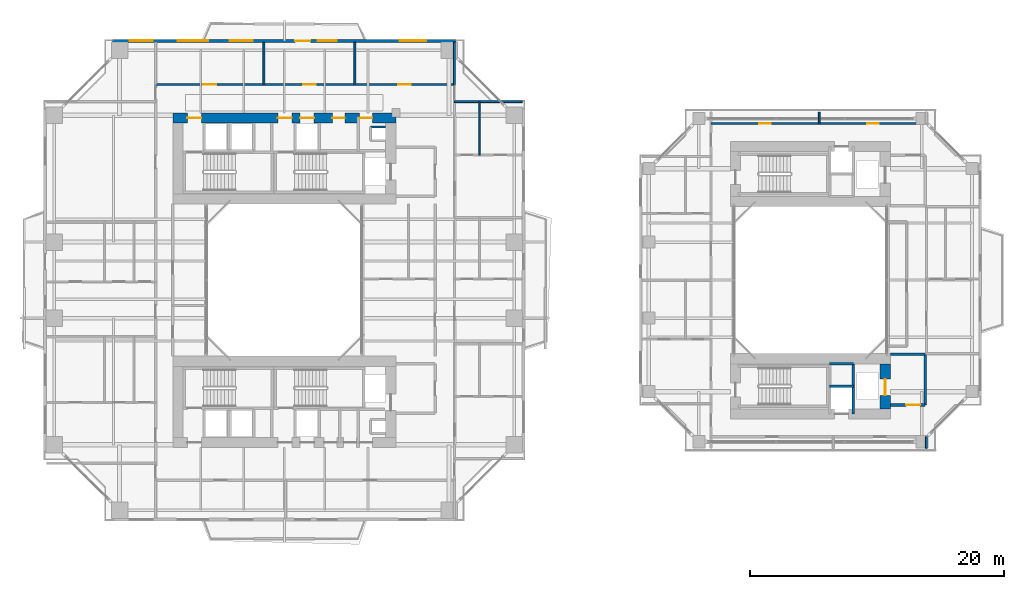
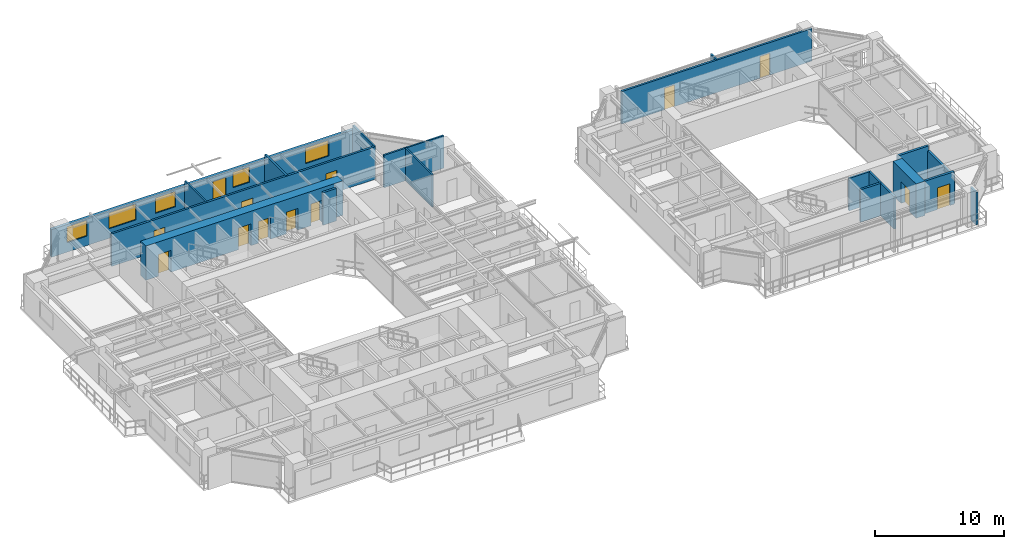
# One storey, part 17 of 24: 19 walls, 13 doors, 5 windows, 18 openings.
"""IFC4 building model written with IfcOpenShell, lengths in metres."""

from ifc_helpers import new_model, si_unit, direction, frame, frame_2d, origin, place, context, subcontext, project, spatial, rectangle, extrude, source, transform, mapped, material, layer, layer_set, type_object, element, fill, save


model = new_model("IFC4")

# Units and contexts
model_context = context("Model", 3, precision=1e-05, world=origin(), true_north=direction((0.0, 1.0)))
body_context = subcontext(model_context, "Body", "Model", "MODEL_VIEW")
ifc_project = project(units=[si_unit("LENGTHUNIT", "METRE"), si_unit("AREAUNIT", "SQUARE_METRE"), si_unit("VOLUMEUNIT", "CUBIC_METRE"), si_unit("PLANEANGLEUNIT", "RADIAN"), si_unit("MASSUNIT", "GRAM", prefix="KILO"), si_unit("THERMODYNAMICTEMPERATUREUNIT", "KELVIN"), si_unit("POWERUNIT", "WATT")], contexts=[model_context])

# Site, building, storey
site_placement = place(None, origin())
site = spatial("IfcSite", under=ifc_project, at=site_placement, CompositionType="ELEMENT")
building_placement = place(site_placement, origin())
building = spatial("IfcBuilding", under=site, at=building_placement, Name="Qiaomeng Ring Towers", CompositionType="ELEMENT")
storey_placement = place(building_placement, frame((0.0, 0.0, 36.0)))
storey = spatial("IfcBuildingStorey", under=building, at=storey_placement, Name="L09", CompositionType="ELEMENT", Elevation=36.0)

# Wall, openings, windows, door
ifc_material_1 = material(Name="Precast concrete C40", Category="concrete")
ifc_layer_1 = layer(ifc_material_1, 0.25, Name="Precast concrete C40")
ifc_layer_set_1 = layer_set([ifc_layer_1], Name="Precast concrete C40")
wall_type_1 = type_object("IfcWallType", Name="ARC-WL-EW1", PredefinedType="STANDARD", material=ifc_layer_set_1)
wall_1_placement = place(storey_placement, frame((5.449951171875, 41.875, 0.0), z_axis=(0.0, 0.0, 1.0), x_axis=(1.0, 0.0, 0.0)))
wall_1 = element("IfcWall", 1, at=wall_1_placement, inside=storey, type_object=wall_type_1, Name="L09 Tower 1 N Exterior Wall", PredefinedType="STANDARD", context=body_context, shape_type="SweptSolid", body=[
    extrude(rectangle(XDim=27.10009765625, YDim=0.25, at=frame_2d((13.550048828125, 0.0))), origin(), (0.0, 0.0, 1.0), 2.610107421875),
])
opening_1_placement = place(wall_1_placement, frame((14.39990234375, 0.0, 0.0)))
opening_1 = element("IfcOpeningElement", 2, at=opening_1_placement, cuts=wall_1, Name="Opening BD1", PredefinedType="OPENING", context=body_context, shape_type="SweptSolid", body=[
    extrude(rectangle(XDim=1.199951171875, YDim=2.10009765625, at=frame_2d((0.60009765625, 1.050048828125))), frame((0.0, 0.135009765625, 0.0), z_axis=(0.0, -1.0, 0.0), x_axis=(1.0, 0.0, 0.0)), (0.0, 0.0, 1.0), 0.27001953125),
])
opening_2_placement = place(wall_1_placement, frame((1.364990234375, 0.0, 0.89990234375)))
opening_2 = element("IfcOpeningElement", 3, at=opening_2_placement, cuts=wall_1, Name="Opening WN1", PredefinedType="OPENING", context=body_context, shape_type="SweptSolid", body=[
    extrude(rectangle(XDim=1.800048828125, YDim=1.5, at=frame_2d((0.89990234375, 0.75))), frame((0.0, 0.135009765625, 0.0), z_axis=(0.0, -1.0, 0.0), x_axis=(1.0, 0.0, 0.0)), (0.0, 0.0, 1.0), 0.27001953125),
])
opening_3_placement = place(wall_1_placement, frame((9.262939453125, 0.0, 0.89990234375)))
opening_3 = element("IfcOpeningElement", 4, at=opening_3_placement, cuts=wall_1, Name="Opening WN1", PredefinedType="OPENING", context=body_context, shape_type="SweptSolid", body=[
    extrude(rectangle(XDim=1.800048828125, YDim=1.449951171875, at=frame_2d((0.89990234375, 0.72509765625))), frame((0.0, 0.135009765625, 0.0), z_axis=(0.0, -1.0, 0.0), x_axis=(1.0, 0.0, 0.0)), (0.0, 0.0, 1.0), 0.27001953125),
])
opening_4_placement = place(wall_1_placement, frame((16.18798828125, 0.0, 0.89990234375)))
opening_4 = element("IfcOpeningElement", 5, at=opening_4_placement, cuts=wall_1, Name="Opening WN2", PredefinedType="OPENING", context=body_context, shape_type="SweptSolid", body=[
    extrude(rectangle(XDim=1.5, YDim=1.449951171875, at=frame_2d((0.75, 0.72509765625))), frame((0.0, 0.135009765625, 0.0), z_axis=(0.0, -1.0, 0.0), x_axis=(1.0, 0.0, 0.0)), (0.0, 0.0, 1.0), 0.27001953125),
])
opening_5_placement = place(wall_1_placement, frame((22.6630859375, 0.0, 0.89990234375)))
opening_5 = element("IfcOpeningElement", 6, at=opening_5_placement, cuts=wall_1, Name="Opening WN4", PredefinedType="OPENING", context=body_context, shape_type="SweptSolid", body=[
    extrude(rectangle(XDim=2.10009765625, YDim=1.47998046875, at=frame_2d((1.050048828125, 0.739990234375))), frame((0.0, 0.135009765625, 0.0), z_axis=(0.0, -1.0, 0.0), x_axis=(1.0, 0.0, 0.0)), (0.0, 0.0, 1.0), 0.27001953125),
])
opening_6_placement = place(wall_1_placement, frame((5.14892578125, 0.0, 0.89990234375)))
opening_6 = element("IfcOpeningElement", 7, at=opening_6_placement, cuts=wall_1, Name="Opening WN6", PredefinedType="OPENING", context=body_context, shape_type="SweptSolid", body=[
    extrude(rectangle(XDim=2.39990234375, YDim=1.5, at=frame_2d((1.199951171875, 0.75))), frame((0.0, 0.135009765625, 0.0), z_axis=(0.0, -1.0, 0.0), x_axis=(1.0, 0.0, 0.0)), (0.0, 0.0, 1.0), 0.27001953125),
])
ifc_material_2 = material(Name="Low-E dark-grey laminated double glazing", Category="glass")
window_type_1 = type_object("IfcWindowType", Name="ARC-WN-2", PartitioningType="DOUBLE_PANEL_VERTICAL", PredefinedType="WINDOW", material=ifc_material_2)
shared_shape_1 = source(origin(), body_context, "Body", "SweptSolid", [
    extrude(rectangle(XDim=1.5, YDim=1.449951171875, at=frame_2d((0.75, 0.72509765625))), frame((0.0, 0.030029296875, 0.0), z_axis=(0.0, -1.0, 0.0), x_axis=(1.0, 0.0, 0.0)), (0.0, 0.0, 1.0), 0.06005859375),
])
window_1_placement = place(opening_4_placement, origin())
window_1 = element("IfcWindow", 8, at=window_1_placement, inside=storey, type_object=window_type_1, Name="L09 Exterior Window WN2", OverallHeight=1.449951171875, OverallWidth=1.5, PartitioningType="DOUBLE_PANEL_VERTICAL", PredefinedType="WINDOW", context=body_context, shape_type="MappedRepresentation", body=[
    mapped(shared_shape_1, transform((0.0, 0.0, 0.0), x_axis=(1.0, 0.0, 0.0), y_axis=(0.0, 1.0, 0.0), z_axis=(0.0, 0.0, 1.0), scale=1.0)),
])
fill(opening_4, window_1)
window_type_2 = type_object("IfcWindowType", Name="ARC-WN-4", PartitioningType="TRIPLE_PANEL_VERTICAL", PredefinedType="WINDOW", material=ifc_material_2)
shared_shape_2 = source(origin(), body_context, "Body", "SweptSolid", [
    extrude(rectangle(XDim=2.10009765625, YDim=1.47998046875, at=frame_2d((1.050048828125, 0.739990234375))), frame((0.0, 0.030029296875, 0.0), z_axis=(0.0, -1.0, 0.0), x_axis=(1.0, 0.0, 0.0)), (0.0, 0.0, 1.0), 0.06005859375),
])
window_2_placement = place(opening_5_placement, origin())
window_2 = element("IfcWindow", 9, at=window_2_placement, inside=storey, type_object=window_type_2, Name="L09 Exterior Window WN4", OverallHeight=1.47998046875, OverallWidth=2.10009765625, PartitioningType="TRIPLE_PANEL_VERTICAL", PredefinedType="WINDOW", context=body_context, shape_type="MappedRepresentation", body=[
    mapped(shared_shape_2, transform((0.0, 0.0, 0.0), x_axis=(1.0, 0.0, 0.0), y_axis=(0.0, 1.0, 0.0), z_axis=(0.0, 0.0, 1.0), scale=1.0)),
])
fill(opening_5, window_2)
window_type_3 = type_object("IfcWindowType", Name="ARC-WN-1", PartitioningType="DOUBLE_PANEL_VERTICAL", PredefinedType="WINDOW", material=ifc_material_2)
shared_shape_3 = source(origin(), body_context, "Body", "SweptSolid", [
    extrude(rectangle(XDim=1.800048828125, YDim=1.449951171875, at=frame_2d((0.89990234375, 0.72509765625))), frame((0.0, 0.030029296875, 0.0), z_axis=(0.0, -1.0, 0.0), x_axis=(1.0, 0.0, 0.0)), (0.0, 0.0, 1.0), 0.06005859375),
])
window_3_placement = place(opening_3_placement, origin())
window_3 = element("IfcWindow", 10, at=window_3_placement, inside=storey, type_object=window_type_3, Name="L09 Exterior Window WN1", OverallHeight=1.449951171875, OverallWidth=1.800048828125, PartitioningType="DOUBLE_PANEL_VERTICAL", PredefinedType="WINDOW", context=body_context, shape_type="MappedRepresentation", body=[
    mapped(shared_shape_3, transform((0.0, 0.0, 0.0), x_axis=(1.0, 0.0, 0.0), y_axis=(0.0, 1.0, 0.0), z_axis=(0.0, 0.0, 1.0), scale=1.0)),
])
fill(opening_3, window_3)
door_type_1 = type_object("IfcDoorType", Name="ARC-DR-BD1", OperationType="NOTDEFINED", PredefinedType="DOOR", material=ifc_material_2)
shared_shape_4 = source(origin(), body_context, "Body", "SweptSolid", [
    extrude(rectangle(XDim=1.199951171875, YDim=2.10009765625, at=frame_2d((0.60009765625, 1.050048828125))), frame((0.0, 0.02490234375, 0.0), z_axis=(0.0, -1.0, 0.0), x_axis=(1.0, 0.0, 0.0)), (0.0, 0.0, 1.0), 0.050048828125),
])
door_1_placement = place(opening_1_placement, origin())
door_1 = element("IfcDoor", 11, at=door_1_placement, inside=storey, type_object=door_type_1, Name="L09 N Balcony Glazed Door", OperationType="SINGLE_SWING_LEFT", OverallHeight=2.10009765625, OverallWidth=1.199951171875, PredefinedType="DOOR", context=body_context, shape_type="MappedRepresentation", body=[
    mapped(shared_shape_4, transform((0.0, 0.0, 0.0), x_axis=(1.0, 0.0, 0.0), y_axis=(0.0, 1.0, 0.0), z_axis=(0.0, 0.0, 1.0), scale=1.0)),
])
fill(opening_1, door_1)
window_type_4 = type_object("IfcWindowType", Name="ARC-WN-6", PartitioningType="TRIPLE_PANEL_VERTICAL", PredefinedType="WINDOW", material=ifc_material_2)
shared_shape_5 = source(origin(), body_context, "Body", "SweptSolid", [
    extrude(rectangle(XDim=2.39990234375, YDim=1.5, at=frame_2d((1.199951171875, 0.75))), frame((0.0, 0.030029296875, 0.0), z_axis=(0.0, -1.0, 0.0), x_axis=(1.0, 0.0, 0.0)), (0.0, 0.0, 1.0), 0.06005859375),
])
window_4_placement = place(opening_6_placement, origin())
window_4 = element("IfcWindow", 12, at=window_4_placement, inside=storey, type_object=window_type_4, Name="L09 Exterior Window WN6", OverallHeight=1.5, OverallWidth=2.39990234375, PartitioningType="TRIPLE_PANEL_VERTICAL", PredefinedType="WINDOW", context=body_context, shape_type="MappedRepresentation", body=[
    mapped(shared_shape_5, transform((0.0, 0.0, 0.0), x_axis=(1.0, 0.0, 0.0), y_axis=(0.0, 1.0, 0.0), z_axis=(0.0, 0.0, 1.0), scale=1.0)),
])
fill(opening_6, window_4)
shared_shape_6 = source(origin(), body_context, "Body", "SweptSolid", [
    extrude(rectangle(XDim=1.800048828125, YDim=1.5, at=frame_2d((0.89990234375, 0.75))), frame((0.0, 0.030029296875, 0.0), z_axis=(0.0, -1.0, 0.0), x_axis=(1.0, 0.0, 0.0)), (0.0, 0.0, 1.0), 0.06005859375),
])
window_5_placement = place(opening_2_placement, origin())
window_5 = element("IfcWindow", 13, at=window_5_placement, inside=storey, type_object=window_type_3, Name="L09 Exterior Window WN6", OverallHeight=1.5, OverallWidth=1.800048828125, PartitioningType="TRIPLE_PANEL_VERTICAL", PredefinedType="WINDOW", context=body_context, shape_type="MappedRepresentation", body=[
    mapped(shared_shape_6, transform((0.0, 0.0, 0.0), x_axis=(1.0, 0.0, 0.0), y_axis=(0.0, 1.0, 0.0), z_axis=(0.0, 0.0, 1.0), scale=1.0)),
])
fill(opening_2, window_5)

# Walls
ifc_material_3 = material(Name="Autoclaved aerated concrete block", Category="concrete")
ifc_layer_2 = layer(ifc_material_3, 0.199951171875, Name="Autoclaved aerated concrete block")
ifc_layer_set_2 = layer_set([ifc_layer_2], Name="Autoclaved aerated concrete block")
wall_type_2 = type_object("IfcWallType", Name="ARC-WL-PW1", PredefinedType="PARTITIONING", material=ifc_layer_set_2)
wall_2_placement = place(storey_placement, frame((66.800048828125, 17.14990234375, 0.0), z_axis=(0.0, 0.0, 1.0), x_axis=(1.0, 0.0, 0.0)))
element("IfcWall", 14, at=wall_2_placement, inside=storey, type_object=wall_type_2, Name="L09 Interior Wall PW1", PredefinedType="PARTITIONING", context=body_context, shape_type="SweptSolid", body=[
    extrude(rectangle(XDim=2.75, YDim=0.199951171875, at=frame_2d((1.375, 0.0))), origin(), (0.0, 0.0, 1.0), 3.070068359375),
])
wall_3_placement = place(storey_placement, frame((69.550048828125, 13.14990234375, 0.0), z_axis=(0.0, 0.0, 1.0), x_axis=(0.0, 1.0, 0.0)))
element("IfcWall", 15, at=wall_3_placement, inside=storey, type_object=wall_type_2, Name="L09 Interior Wall PW1", PredefinedType="PARTITIONING", context=body_context, shape_type="SweptSolid", body=[
    extrude(rectangle(XDim=4.0, YDim=0.199951171875, at=frame_2d((2.0, 0.0))), origin(), (0.0, 0.0, 1.0), 2.614990234375),
])

# Wall, opening, door
wall_4_placement = place(storey_placement, frame((66.800048828125, 13.14990234375, 0.0), z_axis=(0.0, 0.0, 1.0), x_axis=(1.0, 0.0, 0.0)))
wall_4 = element("IfcWall", 16, at=wall_4_placement, inside=storey, type_object=wall_type_2, Name="L09 Interior Wall PW1", PredefinedType="PARTITIONING", context=body_context, shape_type="SweptSolid", body=[
    extrude(rectangle(XDim=2.75, YDim=0.199951171875, at=frame_2d((1.375, 0.0))), origin(), (0.0, 0.0, 1.0), 3.070068359375),
])
opening_7_placement = place(wall_4_placement, frame((1.25, 0.0, 0.0)))
opening_7 = element("IfcOpeningElement", 17, at=opening_7_placement, cuts=wall_4, Name="Opening FD3", PredefinedType="OPENING", context=body_context, shape_type="SweptSolid", body=[
    extrude(rectangle(XDim=1.10009765625, YDim=2.050048828125, at=frame_2d((0.550048828125, 1.02490234375))), frame((0.0, 0.10986328125, 0.0), z_axis=(0.0, -1.0, 0.0), x_axis=(1.0, 0.0, 0.0)), (0.0, 0.0, 1.0), 0.219970703125),
])
ifc_material_4 = material(Name="Galvanised steel", Category="steel")
door_type_2 = type_object("IfcDoorType", Name="ARC-DR-FD3", OperationType="NOTDEFINED", PredefinedType="DOOR", material=ifc_material_4)
shared_shape_7 = source(origin(), body_context, "Body", "SweptSolid", [
    extrude(rectangle(XDim=1.10009765625, YDim=2.050048828125, at=frame_2d((0.550048828125, 1.02490234375))), frame((0.0, 0.02490234375, 0.0), z_axis=(0.0, -1.0, 0.0), x_axis=(1.0, 0.0, 0.0)), (0.0, 0.0, 1.0), 0.050048828125),
])
door_2_placement = place(opening_7_placement, origin())
door_2 = element("IfcDoor", 18, at=door_2_placement, inside=storey, type_object=door_type_2, Name="L09 Door FD3", OperationType="SINGLE_SWING_LEFT", OverallHeight=2.050048828125, OverallWidth=1.10009765625, PredefinedType="DOOR", context=body_context, shape_type="MappedRepresentation", body=[
    mapped(shared_shape_7, transform((0.0, 0.0, 0.0), x_axis=(1.0, 0.0, 0.0), y_axis=(0.0, 1.0, 0.0), z_axis=(0.0, 0.0, 1.0), scale=1.0)),
])
fill(opening_7, door_2)

# Wall, openings, doors
ifc_layer_3 = layer(ifc_material_3, 0.179931640625, Name="Autoclaved aerated concrete block")
ifc_layer_set_3 = layer_set([ifc_layer_3], Name="Autoclaved aerated concrete block")
wall_type_3 = type_object("IfcWallType", Name="ARC-WL-PW2", PredefinedType="PARTITIONING", material=ifc_layer_set_3)
wall_5_placement = place(storey_placement, frame((8.85009765625, 38.43994140625, 0.0), z_axis=(0.0, 0.0, 1.0), x_axis=(1.0, 0.0, 0.0)))
wall_5 = element("IfcWall", 19, at=wall_5_placement, inside=storey, type_object=wall_type_3, Name="L09 Interior Wall PW2", PredefinedType="PARTITIONING", context=body_context, shape_type="SweptSolid", body=[
    extrude(rectangle(XDim=23.56982421875, YDim=0.179931640625, at=frame_2d((11.784912109375, 0.0))), origin(), (0.0, 0.0, 1.0), 3.070068359375),
])
opening_8_placement = place(wall_5_placement, frame((3.77001953125, 0.0, 0.0)))
opening_8 = element("IfcOpeningElement", 20, at=opening_8_placement, cuts=wall_5, Name="Opening FD4", PredefinedType="OPENING", context=body_context, shape_type="SweptSolid", body=[
    extrude(rectangle(XDim=1.0, YDim=2.050048828125, at=frame_2d((0.5, 1.02490234375))), frame((0.0, 0.099853515625, 0.0), z_axis=(0.0, -1.0, 0.0), x_axis=(1.0, 0.0, 0.0)), (0.0, 0.0, 1.0), 0.199951171875),
])
opening_9_placement = place(wall_5_placement, frame((11.625, 0.0, 0.0)))
opening_9 = element("IfcOpeningElement", 21, at=opening_9_placement, cuts=wall_5, Name="Opening FD4", PredefinedType="OPENING", context=body_context, shape_type="SweptSolid", body=[
    extrude(rectangle(XDim=1.0, YDim=2.050048828125, at=frame_2d((0.5, 1.02490234375))), frame((0.0, 0.099853515625, 0.0), z_axis=(0.0, -1.0, 0.0), x_axis=(1.0, 0.0, 0.0)), (0.0, 0.0, 1.0), 0.199951171875),
])
opening_10_placement = place(wall_5_placement, frame((19.139892578125, 0.0, 0.0)))
opening_10 = element("IfcOpeningElement", 22, at=opening_10_placement, cuts=wall_5, Name="Opening FD4", PredefinedType="OPENING", context=body_context, shape_type="SweptSolid", body=[
    extrude(rectangle(XDim=1.0, YDim=2.050048828125, at=frame_2d((0.5, 1.02490234375))), frame((0.0, 0.099853515625, 0.0), z_axis=(0.0, -1.0, 0.0), x_axis=(1.0, 0.0, 0.0)), (0.0, 0.0, 1.0), 0.199951171875),
])
ifc_material_5 = material(Name="Engineered fire-rated oak timber", Category="wood")
door_type_3 = type_object("IfcDoorType", Name="ARC-DR-FD4", OperationType="NOTDEFINED", PredefinedType="DOOR", material=ifc_material_5)
shared_shape_8 = source(origin(), body_context, "Body", "SweptSolid", [
    extrude(rectangle(XDim=1.0, YDim=2.050048828125, at=frame_2d((0.5, 1.02490234375))), frame((0.0, 0.02490234375, 0.0), z_axis=(0.0, -1.0, 0.0), x_axis=(1.0, 0.0, 0.0)), (0.0, 0.0, 1.0), 0.050048828125),
])
door_3_placement = place(opening_8_placement, origin())
door_3 = element("IfcDoor", 23, at=door_3_placement, inside=storey, type_object=door_type_3, Name="L09 Door FD4", OperationType="SINGLE_SWING_LEFT", OverallHeight=2.050048828125, OverallWidth=1.0, PredefinedType="DOOR", context=body_context, shape_type="MappedRepresentation", body=[
    mapped(shared_shape_8, transform((0.0, 0.0, 0.0), x_axis=(1.0, 0.0, 0.0), y_axis=(0.0, 1.0, 0.0), z_axis=(0.0, 0.0, 1.0), scale=1.0)),
])
fill(opening_8, door_3)
door_4_placement = place(opening_9_placement, origin())
door_4 = element("IfcDoor", 24, at=door_4_placement, inside=storey, type_object=door_type_3, Name="L09 Door FD4", OperationType="SINGLE_SWING_RIGHT", OverallHeight=2.050048828125, OverallWidth=1.0, PredefinedType="DOOR", context=body_context, shape_type="MappedRepresentation", body=[
    mapped(shared_shape_8, transform((0.0, 0.0, 0.0), x_axis=(1.0, 0.0, 0.0), y_axis=(0.0, 1.0, 0.0), z_axis=(0.0, 0.0, 1.0), scale=1.0)),
])
fill(opening_9, door_4)
door_5_placement = place(opening_10_placement, origin())
door_5 = element("IfcDoor", 25, at=door_5_placement, inside=storey, type_object=door_type_3, Name="L09 Door FD4", OperationType="SINGLE_SWING_LEFT", OverallHeight=2.050048828125, OverallWidth=1.0, PredefinedType="DOOR", context=body_context, shape_type="MappedRepresentation", body=[
    mapped(shared_shape_8, transform((0.0, 0.0, 0.0), x_axis=(1.0, 0.0, 0.0), y_axis=(0.0, 1.0, 0.0), z_axis=(0.0, 0.0, 1.0), scale=1.0)),
])
fill(opening_10, door_5)

wall_6_placement = place(storey_placement, frame((52.64990234375, 35.35009765625, 0.0), z_axis=(0.0, 0.0, 1.0), x_axis=(1.0, 0.0, 0.0)))
wall_6 = element("IfcWall", 26, at=wall_6_placement, inside=storey, type_object=wall_type_3, Name="L09 Interior Wall PW2", PredefinedType="PARTITIONING", context=body_context, shape_type="SweptSolid", body=[
    extrude(rectangle(XDim=17.0, YDim=0.179931640625, at=frame_2d((8.5, 0.0))), origin(), (0.0, 0.0, 1.0), 3.070068359375),
])
opening_11_placement = place(wall_6_placement, frame((3.824951171875, 0.0, 0.0)))
opening_11 = element("IfcOpeningElement", 27, at=opening_11_placement, cuts=wall_6, Name="Opening ID1", PredefinedType="OPENING", context=body_context, shape_type="SweptSolid", body=[
    extrude(rectangle(XDim=0.89990234375, YDim=2.050048828125, at=frame_2d((0.449951171875, 1.02490234375))), frame((0.0, 0.099853515625, 0.0), z_axis=(0.0, -1.0, 0.0), x_axis=(1.0, 0.0, 0.0)), (0.0, 0.0, 1.0), 0.199951171875),
])
opening_12_placement = place(wall_6_placement, frame((12.324951171875, 0.0, 0.0)))
opening_12 = element("IfcOpeningElement", 28, at=opening_12_placement, cuts=wall_6, Name="Opening ID1", PredefinedType="OPENING", context=body_context, shape_type="SweptSolid", body=[
    extrude(rectangle(XDim=0.89990234375, YDim=2.050048828125, at=frame_2d((0.449951171875, 1.02490234375))), frame((0.0, 0.099853515625, 0.0), z_axis=(0.0, -1.0, 0.0), x_axis=(1.0, 0.0, 0.0)), (0.0, 0.0, 1.0), 0.199951171875),
])
ifc_material_6 = material(Name="Engineered oak timber", Category="wood")
door_type_4 = type_object("IfcDoorType", Name="ARC-DR-ID1", OperationType="NOTDEFINED", PredefinedType="DOOR", material=ifc_material_6)
shared_shape_9 = source(origin(), body_context, "Body", "SweptSolid", [
    extrude(rectangle(XDim=0.89990234375, YDim=2.050048828125, at=frame_2d((0.449951171875, 1.02490234375))), frame((0.0, 0.02490234375, 0.0), z_axis=(0.0, -1.0, 0.0), x_axis=(1.0, 0.0, 0.0)), (0.0, 0.0, 1.0), 0.050048828125),
])
door_6_placement = place(opening_11_placement, origin())
door_6 = element("IfcDoor", 29, at=door_6_placement, inside=storey, type_object=door_type_4, Name="L09 Door ID1", OperationType="SINGLE_SWING_LEFT", OverallHeight=2.050048828125, OverallWidth=0.89990234375, PredefinedType="DOOR", context=body_context, shape_type="MappedRepresentation", body=[
    mapped(shared_shape_9, transform((0.0, 0.0, 0.0), x_axis=(1.0, 0.0, 0.0), y_axis=(0.0, 1.0, 0.0), z_axis=(0.0, 0.0, 1.0), scale=1.0)),
])
fill(opening_11, door_6)
door_7_placement = place(opening_12_placement, origin())
door_7 = element("IfcDoor", 30, at=door_7_placement, inside=storey, type_object=door_type_4, Name="L09 Door ID1", OperationType="SINGLE_SWING_RIGHT", OverallHeight=2.050048828125, OverallWidth=0.89990234375, PredefinedType="DOOR", context=body_context, shape_type="MappedRepresentation", body=[
    mapped(shared_shape_9, transform((0.0, 0.0, 0.0), x_axis=(1.0, 0.0, 0.0), y_axis=(0.0, 1.0, 0.0), z_axis=(0.0, 0.0, 1.0), scale=1.0)),
])
fill(opening_12, door_7)

# Walls
ifc_material_7 = material(Name="Gypsum fireboard steel-stud partition", Category="steel")
ifc_layer_4 = layer(ifc_material_7, 0.14990234375, Name="Gypsum fireboard steel-stud partition")
ifc_layer_set_4 = layer_set([ifc_layer_4], Name="Gypsum fireboard steel-stud partition")
wall_type_4 = type_object("IfcWallType", Name="ARC-WL-PW3", PredefinedType="PARTITIONING", material=ifc_layer_set_4)
for number, where, z_axis, x_axis, name in (
    (31, (17.389892578125, 38.43994140625, 0.0), (0.0, 0.0, 1.0), (0.0, 1.0, 0.0), "L09 Interior Wall PW3"),
    (32, (24.56005859375, 38.43994140625, 0.0), (0.0, 0.0, 1.0), (0.0, 1.0, 0.0), "L09 Interior Wall PW3"),
    (33, (32.419921875, 38.43994140625, 0.0), (0.0, 0.0, 1.0), (0.0, 1.0, 0.0), "L09 Interior Wall PW3"),
):
    element("IfcWall", number, at=place(storey_placement, frame(where, z_axis=z_axis, x_axis=x_axis)), inside=storey, type_object=wall_type_4, Name=name, PredefinedType="PARTITIONING", context=body_context, shape_type="SweptSolid", body=[
        extrude(rectangle(XDim=3.31005859375, YDim=0.14990234375, at=frame_2d((1.655029296875, 0.0))), origin(), (0.0, 0.0, 1.0), 3.070068359375),
    ])
wall_7_placement = place(storey_placement, frame((32.419921875, 37.080078125, 0.0), z_axis=(0.0, 0.0, 1.0), x_axis=(1.0, 0.0, 0.0)))
element("IfcWall", 34, at=wall_7_placement, inside=storey, type_object=wall_type_4, Name="L09 Interior Wall PW3", PredefinedType="PARTITIONING", context=body_context, shape_type="SweptSolid", body=[
    extrude(rectangle(XDim=5.330078125, YDim=0.14990234375, at=frame_2d((2.6650390625, 0.0))), origin(), (0.0, 0.0, 1.0), 3.070068359375),
])
for number, where, z_axis, x_axis, name in (
    (35, (61.199951171875, 35.35009765625, 0.0), (0.0, 0.0, 1.0), (0.0, 1.0, 0.0), "L09 Interior Wall PW3"),
    (36, (69.64990234375, 9.75, 0.0), (0.0, 0.0, 1.0), (0.0, 1.0, 0.0), "L09 Interior Wall PW3"),
):
    element("IfcWall", number, at=place(storey_placement, frame(where, z_axis=z_axis, x_axis=x_axis)), inside=storey, type_object=wall_type_4, Name=name, PredefinedType="PARTITIONING", context=body_context, shape_type="SweptSolid", body=[
        extrude(rectangle(XDim=0.89990234375, YDim=0.14990234375, at=frame_2d((0.449951171875, 0.0))), origin(), (0.0, 0.0, 1.0), 3.070068359375),
    ])
ifc_material_8 = material(Name="Moisture-resistant gypsum steel-stud partition", Category="steel")
ifc_layer_5 = layer(ifc_material_8, 0.1201171875, Name="Moisture-resistant gypsum steel-stud partition")
ifc_layer_set_5 = layer_set([ifc_layer_5], Name="Moisture-resistant gypsum steel-stud partition")
wall_type_5 = type_object("IfcWallType", Name="ARC-WL-PW4", PredefinedType="PLUMBINGWALL", material=ifc_layer_set_5)
wall_8_placement = place(storey_placement, frame((34.389892578125, 32.8701171875, 0.0), z_axis=(0.0, 0.0, 1.0), x_axis=(0.0, 1.0, 0.0)))
element("IfcWall", 37, at=wall_8_placement, inside=storey, type_object=wall_type_5, Name="L09 Interior Wall PW4", PredefinedType="PLUMBINGWALL", context=body_context, shape_type="SweptSolid", body=[
    extrude(rectangle(XDim=4.2099609375, YDim=0.1201171875, at=frame_2d((2.10498046875, 0.0))), origin(), (0.0, 0.0, 1.0), 3.070068359375),
])
ifc_material_9 = material(Name="Concrete C40", Category="concrete")
ifc_layer_6 = layer(ifc_material_9, 0.199951171875, Name="Concrete C40")
ifc_layer_set_6 = layer_set([ifc_layer_6], Name="Concrete C40")
wall_type_6 = type_object("IfcWallType", Name="STR-WL-STSHAFT", PredefinedType="SHEAR", material=ifc_layer_set_6)
wall_9_placement = place(storey_placement, frame((25.800048828125, 35.080078125, 0.0), z_axis=(0.0, 0.0, 1.0), x_axis=(1.0, 0.0, 0.0)))
element("IfcWall", 38, at=wall_9_placement, inside=storey, type_object=wall_type_6, Name="L09 Riser RSR1 North Shaft Wall N", PredefinedType="SHEAR", context=body_context, shape_type="SweptSolid", body=[
    extrude(rectangle(XDim=1.199951171875, YDim=0.179931640625, at=frame_2d((0.60009765625, 0.0))), origin(), (0.0, 0.0, 1.0), 3.070068359375),
])
wall_10_placement = place(storey_placement, frame((63.8798828125, 12.449951171875, 0.0), z_axis=(0.0, 0.0, 1.0), x_axis=(0.0, 1.0, 0.0)))
element("IfcWall", 39, at=wall_10_placement, inside=storey, type_object=wall_type_6, Name="L09 Companion Lift Shaft East Wall S", PredefinedType="SHEAR", context=body_context, shape_type="SweptSolid", body=[
    extrude(rectangle(XDim=3.949951171875, YDim=0.179931640625, at=frame_2d((1.97509765625, 0.0))), origin(), (0.0, 0.0, 1.0), 3.070068359375),
])
for number, where, z_axis, x_axis, name in (
    (40, (62.02001953125, 14.6201171875, 0.0), (0.0, 0.0, 1.0), (1.0, 0.0, 0.0), "L09 Companion Lift Shaft Divider Wall S"),
    (41, (62.02001953125, 16.39990234375, 0.0), (0.0, 0.0, 1.0), (1.0, 0.0, 0.0), "L09 Companion Riser Shaft Back Wall S"),
):
    element("IfcWall", number, at=place(storey_placement, frame(where, z_axis=z_axis, x_axis=x_axis)), inside=storey, type_object=wall_type_6, Name=name, PredefinedType="SHEAR", context=body_context, shape_type="SweptSolid", body=[
        extrude(rectangle(XDim=1.85986328125, YDim=0.179931640625, at=frame_2d((0.929931640625, 0.0))), origin(), (0.0, 0.0, 1.0), 3.070068359375),
    ])

# Wall, openings, doors
ifc_material_10 = material(Name="Concrete C60", Category="concrete")
ifc_layer_7 = layer(ifc_material_10, 0.800048828125, Name="Concrete C60")
ifc_layer_set_7 = layer_set([ifc_layer_7], Name="Concrete C60")
wall_type_7 = type_object("IfcWallType", Name="STR-WL-SW1", PredefinedType="SHEAR", material=ifc_layer_set_7)
wall_11_placement = place(storey_placement, frame((10.199951171875, 35.800048828125, 0.0), z_axis=(0.0, 0.0, 1.0), x_axis=(1.0, 0.0, 0.0)))
wall_11 = element("IfcWall", 42, at=wall_11_placement, inside=storey, type_object=wall_type_7, Name="L09 T1NC north core shear wall", PredefinedType="SHEAR", context=body_context, shape_type="SweptSolid", body=[
    extrude(rectangle(XDim=17.60009765625, YDim=0.800048828125, at=frame_2d((8.800048828125, 0.0))), origin(), (0.0, 0.0, 1.0), 3.25),
])
opening_13_placement = place(wall_11_placement, frame((1.14990234375, 0.0, 0.0)))
opening_13 = element("IfcOpeningElement", 43, at=opening_13_placement, cuts=wall_11, Name="Opening FD3", PredefinedType="OPENING", context=body_context, shape_type="SweptSolid", body=[
    extrude(rectangle(XDim=1.10009765625, YDim=2.050048828125, at=frame_2d((0.550048828125, 1.02490234375))), frame((0.0, 0.409912109375, 0.0), z_axis=(0.0, -1.0, 0.0), x_axis=(1.0, 0.0, 0.0)), (0.0, 0.0, 1.0), 0.820068359375),
])
opening_14_placement = place(wall_11_placement, frame((8.300048828125, 0.0, 0.0)))
opening_14 = element("IfcOpeningElement", 44, at=opening_14_placement, cuts=wall_11, Name="Opening FD3", PredefinedType="OPENING", context=body_context, shape_type="SweptSolid", body=[
    extrude(rectangle(XDim=1.10009765625, YDim=2.050048828125, at=frame_2d((0.550048828125, 1.02490234375))), frame((0.0, 0.409912109375, 0.0), z_axis=(0.0, -1.0, 0.0), x_axis=(1.0, 0.0, 0.0)), (0.0, 0.0, 1.0), 0.820068359375),
])
opening_15_placement = place(wall_11_placement, frame((10.050048828125, 0.0, 0.0)))
opening_15 = element("IfcOpeningElement", 45, at=opening_15_placement, cuts=wall_11, Name="Opening LD1", PredefinedType="OPENING", context=body_context, shape_type="SweptSolid", body=[
    extrude(rectangle(XDim=1.10009765625, YDim=2.050048828125, at=frame_2d((0.550048828125, 1.02490234375))), frame((0.0, 0.409912109375, 0.0), z_axis=(0.0, -1.0, 0.0), x_axis=(1.0, 0.0, 0.0)), (0.0, 0.0, 1.0), 0.820068359375),
])
opening_16_placement = place(wall_11_placement, frame((14.739990234375, 0.0, 0.0)))
opening_16 = element("IfcOpeningElement", 46, at=opening_16_placement, cuts=wall_11, Name="Opening FD1", PredefinedType="OPENING", context=body_context, shape_type="SweptSolid", body=[
    extrude(rectangle(XDim=1.0, YDim=2.050048828125, at=frame_2d((0.5, 1.02490234375))), frame((0.0, 0.409912109375, 0.0), z_axis=(0.0, -1.0, 0.0), x_axis=(1.0, 0.0, 0.0)), (0.0, 0.0, 1.0), 0.820068359375),
])
opening_17_placement = place(wall_11_placement, frame((12.5849609375, 0.0, 0.0)))
opening_17 = element("IfcOpeningElement", 47, at=opening_17_placement, cuts=wall_11, Name="Opening FD1", PredefinedType="OPENING", context=body_context, shape_type="SweptSolid", body=[
    extrude(rectangle(XDim=1.0, YDim=2.050048828125, at=frame_2d((0.5, 1.02490234375))), frame((0.0, 0.409912109375, 0.0), z_axis=(0.0, -1.0, 0.0), x_axis=(1.0, 0.0, 0.0)), (0.0, 0.0, 1.0), 0.820068359375),
])
door_8_placement = place(opening_13_placement, origin())
door_8 = element("IfcDoor", 48, at=door_8_placement, inside=storey, type_object=door_type_2, Name="L09 Stair ST1 Lobby Door", OperationType="SINGLE_SWING_RIGHT", OverallHeight=2.050048828125, OverallWidth=1.10009765625, PredefinedType="DOOR", context=body_context, shape_type="MappedRepresentation", body=[
    mapped(shared_shape_7, transform((0.0, 0.0, 0.0), x_axis=(1.0, 0.0, 0.0), y_axis=(0.0, 1.0, 0.0), z_axis=(0.0, 0.0, 1.0), scale=1.0)),
])
fill(opening_13, door_8)
door_9_placement = place(opening_14_placement, origin())
door_9 = element("IfcDoor", 49, at=door_9_placement, inside=storey, type_object=door_type_2, Name="L09 Stair ST2 Lobby Door", OperationType="SINGLE_SWING_RIGHT", OverallHeight=2.050048828125, OverallWidth=1.10009765625, PredefinedType="DOOR", context=body_context, shape_type="MappedRepresentation", body=[
    mapped(shared_shape_7, transform((0.0, 0.0, 0.0), x_axis=(1.0, 0.0, 0.0), y_axis=(0.0, 1.0, 0.0), z_axis=(0.0, 0.0, 1.0), scale=1.0)),
])
fill(opening_14, door_9)
ifc_material_11 = material(Name="Stainless steel 316", Category="steel")
door_type_5 = type_object("IfcDoorType", Name="ARC-DR-LD1", OperationType="NOTDEFINED", PredefinedType="DOOR", material=ifc_material_11)
door_10_placement = place(opening_15_placement, origin())
door_10 = element("IfcDoor", 50, at=door_10_placement, inside=storey, type_object=door_type_5, Name="L09 Low-Zone Lift LP1 Landing Door", OperationType="SLIDING_TO_LEFT", OverallHeight=2.050048828125, OverallWidth=1.10009765625, PredefinedType="DOOR", context=body_context, shape_type="MappedRepresentation", body=[
    mapped(shared_shape_7, transform((0.0, 0.0, 0.0), x_axis=(1.0, 0.0, 0.0), y_axis=(0.0, 1.0, 0.0), z_axis=(0.0, 0.0, 1.0), scale=1.0)),
])
fill(opening_15, door_10)
door_type_6 = type_object("IfcDoorType", Name="ARC-DR-FD1", OperationType="NOTDEFINED", PredefinedType="DOOR", material=ifc_material_4)
door_11_placement = place(opening_16_placement, origin())
door_11 = element("IfcDoor", 51, at=door_11_placement, inside=storey, type_object=door_type_6, Name="L09 North Electrical Riser Door", OperationType="SINGLE_SWING_RIGHT", OverallHeight=2.050048828125, OverallWidth=1.0, PredefinedType="DOOR", context=body_context, shape_type="MappedRepresentation", body=[
    mapped(shared_shape_8, transform((0.0, 0.0, 0.0), x_axis=(1.0, 0.0, 0.0), y_axis=(0.0, 1.0, 0.0), z_axis=(0.0, 0.0, 1.0), scale=1.0)),
])
fill(opening_16, door_11)
door_12_placement = place(opening_17_placement, origin())
door_12 = element("IfcDoor", 52, at=door_12_placement, inside=storey, type_object=door_type_6, Name="L09 North Cleaners Store Door", OperationType="SINGLE_SWING_RIGHT", OverallHeight=2.050048828125, OverallWidth=1.0, PredefinedType="DOOR", context=body_context, shape_type="MappedRepresentation", body=[
    mapped(shared_shape_8, transform((0.0, 0.0, 0.0), x_axis=(1.0, 0.0, 0.0), y_axis=(0.0, 1.0, 0.0), z_axis=(0.0, 0.0, 1.0), scale=1.0)),
])
fill(opening_17, door_12)

# Wall, opening, door
wall_12_placement = place(storey_placement, frame((66.39990234375, 12.85009765625, 0.0), z_axis=(0.0, 0.0, 1.0), x_axis=(0.0, 1.0, 0.0)))
wall_12 = element("IfcWall", 53, at=wall_12_placement, inside=storey, type_object=wall_type_7, Name="L09 T2SC east core shear wall", PredefinedType="SHEAR", context=body_context, shape_type="SweptSolid", body=[
    extrude(rectangle(XDim=3.5498046875, YDim=0.800048828125, at=frame_2d((1.77490234375, 0.0))), origin(), (0.0, 0.0, 1.0), 3.25),
])
opening_18_placement = place(wall_12_placement, frame((1.050048828125, 0.0, 0.0)))
opening_18 = element("IfcOpeningElement", 54, at=opening_18_placement, cuts=wall_12, Name="Opening LD2", PredefinedType="OPENING", context=body_context, shape_type="SweptSolid", body=[
    extrude(rectangle(XDim=1.300048828125, YDim=2.050048828125, at=frame_2d((0.64990234375, 1.02490234375))), frame((0.0, 0.409912109375, 0.0), z_axis=(0.0, -1.0, 0.0), x_axis=(1.0, 0.0, 0.0)), (0.0, 0.0, 1.0), 0.820068359375),
])
door_type_7 = type_object("IfcDoorType", Name="ARC-DR-LD2", OperationType="NOTDEFINED", PredefinedType="DOOR", material=ifc_material_11)
shared_shape_10 = source(origin(), body_context, "Body", "SweptSolid", [
    extrude(rectangle(XDim=1.300048828125, YDim=2.050048828125, at=frame_2d((0.64990234375, 1.02490234375))), frame((0.0, 0.02490234375, 0.0), z_axis=(0.0, -1.0, 0.0), x_axis=(1.0, 0.0, 0.0)), (0.0, 0.0, 1.0), 0.050048828125),
])
door_13_placement = place(opening_18_placement, origin())
door_13 = element("IfcDoor", 55, at=door_13_placement, inside=storey, type_object=door_type_7, Name="L09 Firefighting Lift FL4 Landing Door", OperationType="SLIDING_TO_RIGHT", OverallHeight=2.050048828125, OverallWidth=1.300048828125, PredefinedType="DOOR", context=body_context, shape_type="MappedRepresentation", body=[
    mapped(shared_shape_10, transform((0.0, 0.0, 0.0), x_axis=(1.0, 0.0, 0.0), y_axis=(0.0, 1.0, 0.0), z_axis=(0.0, 0.0, 1.0), scale=1.0)),
])
fill(opening_18, door_13)

save(model, "model.ifc")
